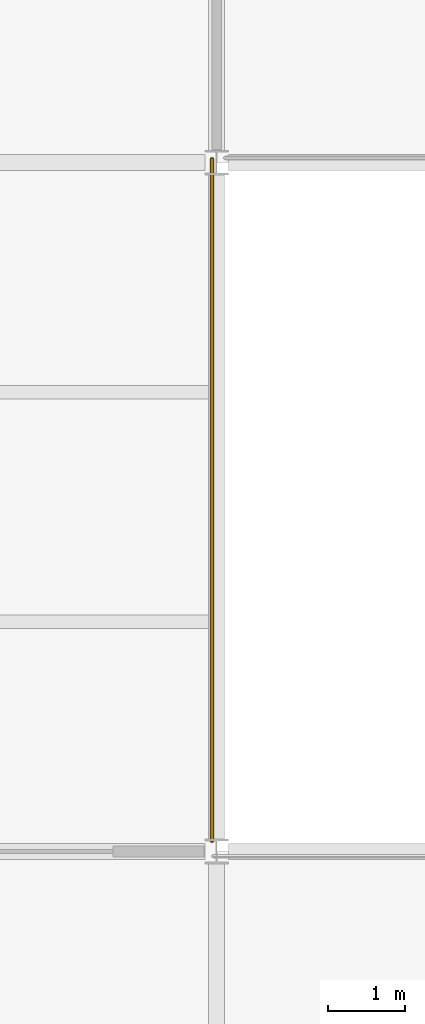
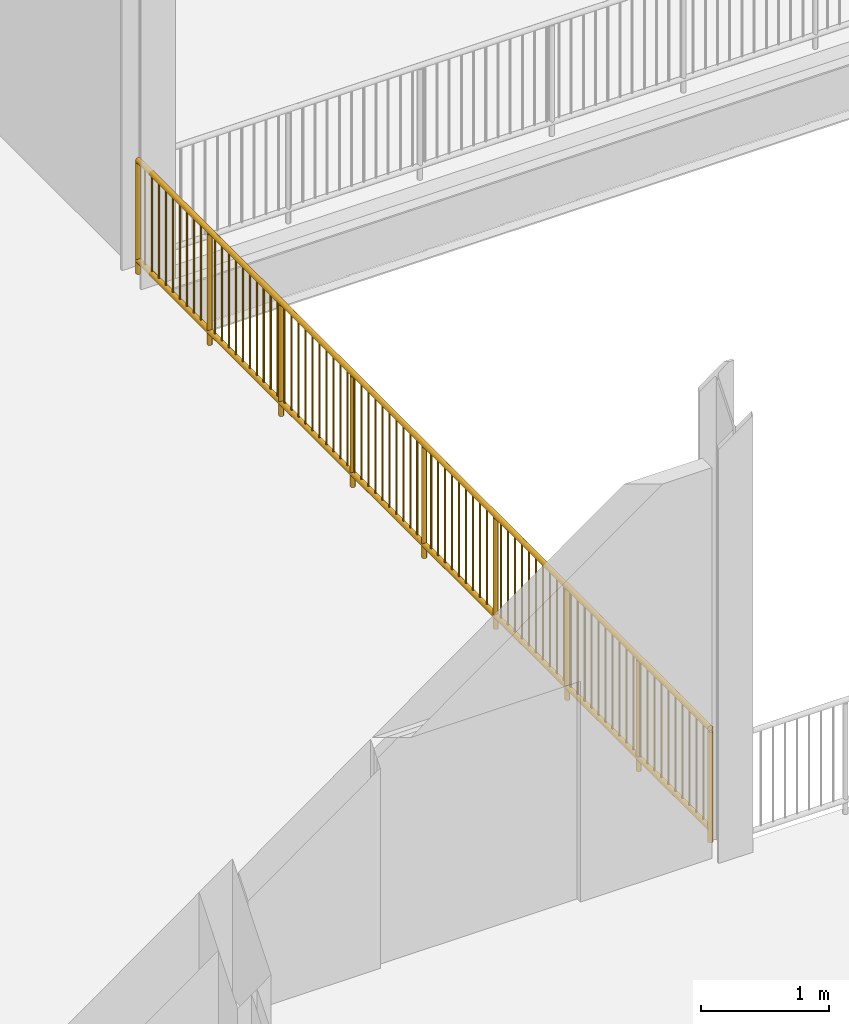
# One storey, part 65 of 74: 1 railing.
"""IFC4 building model written with IfcOpenShell, lengths in metres."""

from ifc_helpers import new_model, si_unit, direction, frame, origin, origin_2d, place, context, subcontext, project, spatial, circle, extrude, material, type_object, element, save


model = new_model("IFC4")

# Units and contexts
model_context = context("Model", 3, precision=1e-05, world=origin(), true_north=direction((0.0, 1.0)))
body_context = subcontext(model_context, "Body", "Model", "MODEL_VIEW")
ifc_project = project(units=[si_unit("LENGTHUNIT", "METRE"), si_unit("AREAUNIT", "SQUARE_METRE"), si_unit("VOLUMEUNIT", "CUBIC_METRE"), si_unit("PLANEANGLEUNIT", "RADIAN"), si_unit("MASSUNIT", "GRAM", prefix="KILO")], contexts=[model_context])

# Site, building, storey
site_placement = place(None, origin())
site = spatial("IfcSite", under=ifc_project, at=site_placement, CompositionType="ELEMENT")
building_placement = place(site_placement, origin())
building = spatial("IfcBuilding", under=site, at=building_placement, Name="Hortulan Conservatory and Botanical Research Centre", CompositionType="ELEMENT")
storey_placement = place(building_placement, frame((0.0, 0.0, 6.0)))
storey = spatial("IfcBuildingStorey", under=building, at=storey_placement, Name="L01", CompositionType="ELEMENT", Elevation=6.0)

# Railing
ifc_material = material(Name="Wrought iron guard, bronze-charcoal paint", Category="metal")
railing_type = type_object("IfcRailingType", Name="Ironwork Void Guard 1100", PredefinedType="GUARDRAIL", material=ifc_material)
railing_placement = place(storey_placement, frame((8.93994140625, 45.1337890625, 0.0)))
element("IfcRailing", 1, at=railing_placement, inside=storey, type_object=railing_type, Name="Guard L01 Winter Garden 1", PredefinedType="GUARDRAIL", context=body_context, shape_type="SweptSolid", body=[
    extrude(circle(Radius=0.02392578125, at=origin_2d()), frame((0.0, 0.0, 1.076171875), z_axis=(0.0, 1.0, 0.0), x_axis=(-1.0, 0.0, 0.0)), (0.0, 0.0, 1.0), 8.916748046875),
    extrude(circle(Radius=0.02392578125, at=origin_2d()), frame((0.0, 0.0, 0.1240234375), z_axis=(0.0, 1.0, 0.0), x_axis=(-1.0, 0.0, 0.0)), (0.0, 0.0, 1.0), 8.916748046875),
    extrude(circle(Radius=0.008056640625, at=origin_2d()), frame((0.0, 0.108642578125, 0.148193359375)), (0.0, 0.0, 1.0), 0.90380859375),
    extrude(circle(Radius=0.008056640625, at=origin_2d()), frame((0.0, 0.217529296875, 0.148193359375)), (0.0, 0.0, 1.0), 0.90380859375),
    extrude(circle(Radius=0.008056640625, at=origin_2d()), frame((0.0, 0.326171875, 0.148193359375)), (0.0, 0.0, 1.0), 0.90380859375),
    extrude(circle(Radius=0.008056640625, at=origin_2d()), frame((0.0, 0.43505859375, 0.148193359375)), (0.0, 0.0, 1.0), 0.90380859375),
    extrude(circle(Radius=0.008056640625, at=origin_2d()), frame((0.0, 0.543701171875, 0.148193359375)), (0.0, 0.0, 1.0), 0.90380859375),
    extrude(circle(Radius=0.008056640625, at=origin_2d()), frame((0.0, 0.65234375, 0.148193359375)), (0.0, 0.0, 1.0), 0.90380859375),
    extrude(circle(Radius=0.008056640625, at=origin_2d()), frame((0.0, 0.76123046875, 0.148193359375)), (0.0, 0.0, 1.0), 0.90380859375),
    extrude(circle(Radius=0.008056640625, at=origin_2d()), frame((0.0, 0.869873046875, 0.148193359375)), (0.0, 0.0, 1.0), 0.90380859375),
    extrude(circle(Radius=0.008056640625, at=origin_2d()), frame((0.0, 0.978759765625, 0.148193359375)), (0.0, 0.0, 1.0), 0.90380859375),
    extrude(circle(Radius=0.008056640625, at=origin_2d()), frame((0.0, 1.08740234375, 0.148193359375)), (0.0, 0.0, 1.0), 0.90380859375),
    extrude(circle(Radius=0.008056640625, at=origin_2d()), frame((0.0, 1.196044921875, 0.148193359375)), (0.0, 0.0, 1.0), 0.90380859375),
    extrude(circle(Radius=0.008056640625, at=origin_2d()), frame((0.0, 1.304931640625, 0.148193359375)), (0.0, 0.0, 1.0), 0.90380859375),
    extrude(circle(Radius=0.008056640625, at=origin_2d()), frame((0.0, 1.41357421875, 0.148193359375)), (0.0, 0.0, 1.0), 0.90380859375),
    extrude(circle(Radius=0.008056640625, at=origin_2d()), frame((0.0, 1.5224609375, 0.148193359375)), (0.0, 0.0, 1.0), 0.90380859375),
    extrude(circle(Radius=0.008056640625, at=origin_2d()), frame((0.0, 1.631103515625, 0.148193359375)), (0.0, 0.0, 1.0), 0.90380859375),
    extrude(circle(Radius=0.008056640625, at=origin_2d()), frame((0.0, 1.73974609375, 0.148193359375)), (0.0, 0.0, 1.0), 0.90380859375),
    extrude(circle(Radius=0.008056640625, at=origin_2d()), frame((0.0, 1.8486328125, 0.148193359375)), (0.0, 0.0, 1.0), 0.90380859375),
    extrude(circle(Radius=0.008056640625, at=origin_2d()), frame((0.0, 1.957275390625, 0.148193359375)), (0.0, 0.0, 1.0), 0.90380859375),
    extrude(circle(Radius=0.008056640625, at=origin_2d()), frame((0.0, 2.066162109375, 0.148193359375)), (0.0, 0.0, 1.0), 0.90380859375),
    extrude(circle(Radius=0.008056640625, at=origin_2d()), frame((0.0, 2.1748046875, 0.148193359375)), (0.0, 0.0, 1.0), 0.90380859375),
    extrude(circle(Radius=0.008056640625, at=origin_2d()), frame((0.0, 2.283447265625, 0.148193359375)), (0.0, 0.0, 1.0), 0.90380859375),
    extrude(circle(Radius=0.008056640625, at=origin_2d()), frame((0.0, 2.392333984375, 0.148193359375)), (0.0, 0.0, 1.0), 0.90380859375),
    extrude(circle(Radius=0.008056640625, at=origin_2d()), frame((0.0, 2.5009765625, 0.148193359375)), (0.0, 0.0, 1.0), 0.90380859375),
    extrude(circle(Radius=0.008056640625, at=origin_2d()), frame((0.0, 2.60986328125, 0.148193359375)), (0.0, 0.0, 1.0), 0.90380859375),
    extrude(circle(Radius=0.008056640625, at=origin_2d()), frame((0.0, 2.718505859375, 0.148193359375)), (0.0, 0.0, 1.0), 0.90380859375),
    extrude(circle(Radius=0.008056640625, at=origin_2d()), frame((0.0, 2.8271484375, 0.148193359375)), (0.0, 0.0, 1.0), 0.90380859375),
    extrude(circle(Radius=0.008056640625, at=origin_2d()), frame((0.0, 2.93603515625, 0.148193359375)), (0.0, 0.0, 1.0), 0.90380859375),
    extrude(circle(Radius=0.008056640625, at=origin_2d()), frame((0.0, 3.044677734375, 0.148193359375)), (0.0, 0.0, 1.0), 0.90380859375),
    extrude(circle(Radius=0.008056640625, at=origin_2d()), frame((0.0, 3.153564453125, 0.148193359375)), (0.0, 0.0, 1.0), 0.90380859375),
    extrude(circle(Radius=0.008056640625, at=origin_2d()), frame((0.0, 3.26220703125, 0.148193359375)), (0.0, 0.0, 1.0), 0.90380859375),
    extrude(circle(Radius=0.008056640625, at=origin_2d()), frame((0.0, 3.370849609375, 0.148193359375)), (0.0, 0.0, 1.0), 0.90380859375),
    extrude(circle(Radius=0.008056640625, at=origin_2d()), frame((0.0, 3.479736328125, 0.148193359375)), (0.0, 0.0, 1.0), 0.90380859375),
    extrude(circle(Radius=0.008056640625, at=origin_2d()), frame((0.0, 3.58837890625, 0.148193359375)), (0.0, 0.0, 1.0), 0.90380859375),
    extrude(circle(Radius=0.008056640625, at=origin_2d()), frame((0.0, 3.697265625, 0.148193359375)), (0.0, 0.0, 1.0), 0.90380859375),
    extrude(circle(Radius=0.008056640625, at=origin_2d()), frame((0.0, 3.805908203125, 0.148193359375)), (0.0, 0.0, 1.0), 0.90380859375),
    extrude(circle(Radius=0.008056640625, at=origin_2d()), frame((0.0, 3.91455078125, 0.148193359375)), (0.0, 0.0, 1.0), 0.90380859375),
    extrude(circle(Radius=0.008056640625, at=origin_2d()), frame((0.0, 4.0234375, 0.148193359375)), (0.0, 0.0, 1.0), 0.90380859375),
    extrude(circle(Radius=0.008056640625, at=origin_2d()), frame((0.0, 4.132080078125, 0.148193359375)), (0.0, 0.0, 1.0), 0.90380859375),
    extrude(circle(Radius=0.008056640625, at=origin_2d()), frame((0.0, 4.240966796875, 0.148193359375)), (0.0, 0.0, 1.0), 0.90380859375),
    extrude(circle(Radius=0.008056640625, at=origin_2d()), frame((0.0, 4.349609375, 0.148193359375)), (0.0, 0.0, 1.0), 0.90380859375),
    extrude(circle(Radius=0.008056640625, at=origin_2d()), frame((0.0, 4.45849609375, 0.148193359375)), (0.0, 0.0, 1.0), 0.90380859375),
    extrude(circle(Radius=0.008056640625, at=origin_2d()), frame((0.0, 4.567138671875, 0.148193359375)), (0.0, 0.0, 1.0), 0.90380859375),
    extrude(circle(Radius=0.008056640625, at=origin_2d()), frame((0.0, 4.67578125, 0.148193359375)), (0.0, 0.0, 1.0), 0.90380859375),
    extrude(circle(Radius=0.008056640625, at=origin_2d()), frame((0.0, 4.78466796875, 0.148193359375)), (0.0, 0.0, 1.0), 0.90380859375),
    extrude(circle(Radius=0.008056640625, at=origin_2d()), frame((0.0, 4.893310546875, 0.148193359375)), (0.0, 0.0, 1.0), 0.90380859375),
    extrude(circle(Radius=0.008056640625, at=origin_2d()), frame((0.0, 5.002197265625, 0.148193359375)), (0.0, 0.0, 1.0), 0.90380859375),
    extrude(circle(Radius=0.008056640625, at=origin_2d()), frame((0.0, 5.11083984375, 0.148193359375)), (0.0, 0.0, 1.0), 0.90380859375),
    extrude(circle(Radius=0.008056640625, at=origin_2d()), frame((0.0, 5.219482421875, 0.148193359375)), (0.0, 0.0, 1.0), 0.90380859375),
    extrude(circle(Radius=0.008056640625, at=origin_2d()), frame((0.0, 5.328369140625, 0.148193359375)), (0.0, 0.0, 1.0), 0.90380859375),
    extrude(circle(Radius=0.008056640625, at=origin_2d()), frame((0.0, 5.43701171875, 0.148193359375)), (0.0, 0.0, 1.0), 0.90380859375),
    extrude(circle(Radius=0.008056640625, at=origin_2d()), frame((0.0, 5.5458984375, 0.148193359375)), (0.0, 0.0, 1.0), 0.90380859375),
    extrude(circle(Radius=0.008056640625, at=origin_2d()), frame((0.0, 5.654541015625, 0.148193359375)), (0.0, 0.0, 1.0), 0.90380859375),
    extrude(circle(Radius=0.008056640625, at=origin_2d()), frame((0.0, 5.76318359375, 0.148193359375)), (0.0, 0.0, 1.0), 0.90380859375),
    extrude(circle(Radius=0.008056640625, at=origin_2d()), frame((0.0, 5.8720703125, 0.148193359375)), (0.0, 0.0, 1.0), 0.90380859375),
    extrude(circle(Radius=0.008056640625, at=origin_2d()), frame((0.0, 5.980712890625, 0.148193359375)), (0.0, 0.0, 1.0), 0.90380859375),
    extrude(circle(Radius=0.008056640625, at=origin_2d()), frame((0.0, 6.089599609375, 0.148193359375)), (0.0, 0.0, 1.0), 0.90380859375),
    extrude(circle(Radius=0.008056640625, at=origin_2d()), frame((0.0, 6.1982421875, 0.148193359375)), (0.0, 0.0, 1.0), 0.90380859375),
    extrude(circle(Radius=0.008056640625, at=origin_2d()), frame((0.0, 6.306884765625, 0.148193359375)), (0.0, 0.0, 1.0), 0.90380859375),
    extrude(circle(Radius=0.008056640625, at=origin_2d()), frame((0.0, 6.415771484375, 0.148193359375)), (0.0, 0.0, 1.0), 0.90380859375),
    extrude(circle(Radius=0.008056640625, at=origin_2d()), frame((0.0, 6.5244140625, 0.148193359375)), (0.0, 0.0, 1.0), 0.90380859375),
    extrude(circle(Radius=0.008056640625, at=origin_2d()), frame((0.0, 6.63330078125, 0.148193359375)), (0.0, 0.0, 1.0), 0.90380859375),
    extrude(circle(Radius=0.008056640625, at=origin_2d()), frame((0.0, 6.741943359375, 0.148193359375)), (0.0, 0.0, 1.0), 0.90380859375),
    extrude(circle(Radius=0.008056640625, at=origin_2d()), frame((0.0, 6.8505859375, 0.148193359375)), (0.0, 0.0, 1.0), 0.90380859375),
    extrude(circle(Radius=0.008056640625, at=origin_2d()), frame((0.0, 6.95947265625, 0.148193359375)), (0.0, 0.0, 1.0), 0.90380859375),
    extrude(circle(Radius=0.008056640625, at=origin_2d()), frame((0.0, 7.068115234375, 0.148193359375)), (0.0, 0.0, 1.0), 0.90380859375),
    extrude(circle(Radius=0.008056640625, at=origin_2d()), frame((0.0, 7.177001953125, 0.148193359375)), (0.0, 0.0, 1.0), 0.90380859375),
    extrude(circle(Radius=0.008056640625, at=origin_2d()), frame((0.0, 7.28564453125, 0.148193359375)), (0.0, 0.0, 1.0), 0.90380859375),
    extrude(circle(Radius=0.008056640625, at=origin_2d()), frame((0.0, 7.394287109375, 0.148193359375)), (0.0, 0.0, 1.0), 0.90380859375),
    extrude(circle(Radius=0.008056640625, at=origin_2d()), frame((0.0, 7.503173828125, 0.148193359375)), (0.0, 0.0, 1.0), 0.90380859375),
    extrude(circle(Radius=0.008056640625, at=origin_2d()), frame((0.0, 7.61181640625, 0.148193359375)), (0.0, 0.0, 1.0), 0.90380859375),
    extrude(circle(Radius=0.008056640625, at=origin_2d()), frame((0.0, 7.720703125, 0.148193359375)), (0.0, 0.0, 1.0), 0.90380859375),
    extrude(circle(Radius=0.008056640625, at=origin_2d()), frame((0.0, 7.829345703125, 0.148193359375)), (0.0, 0.0, 1.0), 0.90380859375),
    extrude(circle(Radius=0.008056640625, at=origin_2d()), frame((0.0, 7.93798828125, 0.148193359375)), (0.0, 0.0, 1.0), 0.90380859375),
    extrude(circle(Radius=0.008056640625, at=origin_2d()), frame((0.0, 8.046875, 0.148193359375)), (0.0, 0.0, 1.0), 0.90380859375),
    extrude(circle(Radius=0.008056640625, at=origin_2d()), frame((0.0, 8.155517578125, 0.148193359375)), (0.0, 0.0, 1.0), 0.90380859375),
    extrude(circle(Radius=0.008056640625, at=origin_2d()), frame((0.0, 8.264404296875, 0.148193359375)), (0.0, 0.0, 1.0), 0.90380859375),
    extrude(circle(Radius=0.008056640625, at=origin_2d()), frame((0.0, 8.373046875, 0.148193359375)), (0.0, 0.0, 1.0), 0.90380859375),
    extrude(circle(Radius=0.008056640625, at=origin_2d()), frame((0.0, 8.481689453125, 0.148193359375)), (0.0, 0.0, 1.0), 0.90380859375),
    extrude(circle(Radius=0.008056640625, at=origin_2d()), frame((0.0, 8.590576171875, 0.148193359375)), (0.0, 0.0, 1.0), 0.90380859375),
    extrude(circle(Radius=0.008056640625, at=origin_2d()), frame((0.0, 8.69921875, 0.148193359375)), (0.0, 0.0, 1.0), 0.90380859375),
    extrude(circle(Radius=0.008056640625, at=origin_2d()), frame((0.0, 8.80810546875, 0.148193359375)), (0.0, 0.0, 1.0), 0.90380859375),
    extrude(circle(Radius=0.02099609375, at=origin_2d()), origin(), (0.0, 0.0, 1.0), 1.052001953125),
    extrude(circle(Radius=0.02099609375, at=origin_2d()), frame((0.0, 1.114501953125, 0.0)), (0.0, 0.0, 1.0), 1.052001953125),
    extrude(circle(Radius=0.02099609375, at=origin_2d()), frame((0.0, 2.229248046875, 0.0)), (0.0, 0.0, 1.0), 1.052001953125),
    extrude(circle(Radius=0.02099609375, at=origin_2d()), frame((0.0, 3.34375, 0.0)), (0.0, 0.0, 1.0), 1.052001953125),
    extrude(circle(Radius=0.02099609375, at=origin_2d()), frame((0.0, 4.45849609375, 0.0)), (0.0, 0.0, 1.0), 1.052001953125),
    extrude(circle(Radius=0.02099609375, at=origin_2d()), frame((0.0, 5.572998046875, 0.0)), (0.0, 0.0, 1.0), 1.052001953125),
    extrude(circle(Radius=0.02099609375, at=origin_2d()), frame((0.0, 6.6875, 0.0)), (0.0, 0.0, 1.0), 1.052001953125),
    extrude(circle(Radius=0.02099609375, at=origin_2d()), frame((0.0, 7.80224609375, 0.0)), (0.0, 0.0, 1.0), 1.052001953125),
    extrude(circle(Radius=0.02099609375, at=origin_2d()), frame((0.0, 8.916748046875, 0.0)), (0.0, 0.0, 1.0), 1.052001953125),
])

save(model, "model.ifc")
